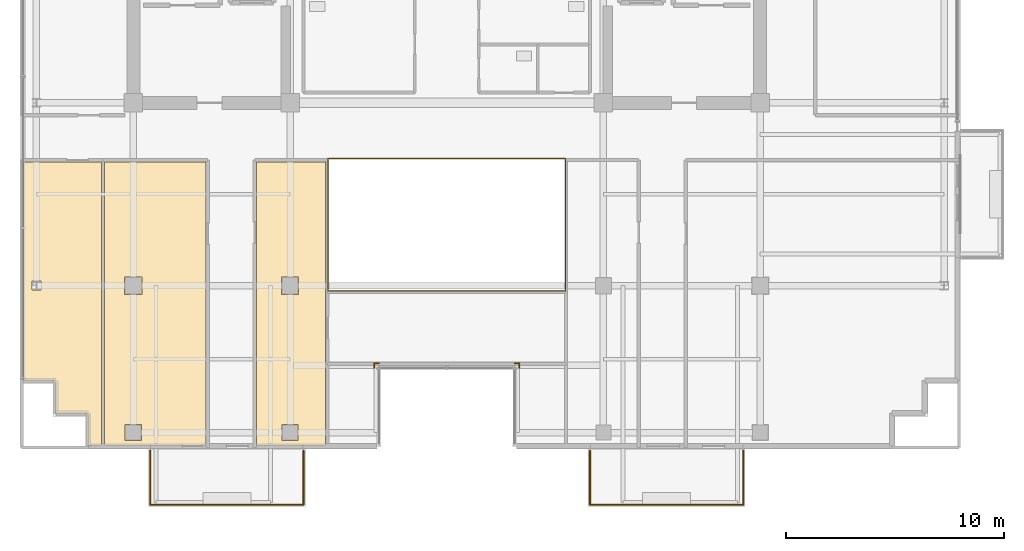
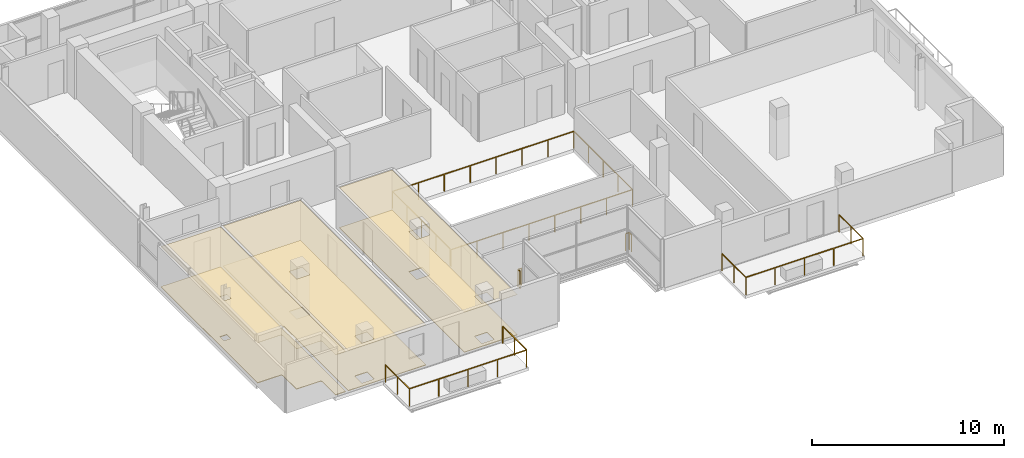
# One storey, part 19 of 22: 7 railings, 6 coverings.
"""IFC4 building model written with IfcOpenShell, lengths in metres."""

from ifc_helpers import new_model, si_unit, direction, frame, origin, origin_2d, place, context, subcontext, project, spatial, polyline, rectangle, outline, extrude, material, layer, layer_set, type_object, element, save


model = new_model("IFC4")

# Units and contexts
model_context = context("Model", 3, precision=1e-05, world=origin(), true_north=direction((0.0, 1.0)))
body_context = subcontext(model_context, "Body", "Model", "MODEL_VIEW")
ifc_project = project(units=[si_unit("LENGTHUNIT", "METRE"), si_unit("AREAUNIT", "SQUARE_METRE"), si_unit("VOLUMEUNIT", "CUBIC_METRE"), si_unit("PLANEANGLEUNIT", "RADIAN"), si_unit("MASSUNIT", "GRAM", prefix="KILO")], contexts=[model_context])

# Site, building, storey
site_placement = place(None, origin())
site = spatial("IfcSite", under=ifc_project, at=site_placement, CompositionType="ELEMENT")
building_placement = place(site_placement, origin())
building = spatial("IfcBuilding", under=site, at=building_placement, Name="Zarnakvel Exchange Tower", CompositionType="ELEMENT")
storey_placement = place(building_placement, frame((0.0, 0.0, 238.60009765625)))
storey = spatial("IfcBuildingStorey", under=building, at=storey_placement, Name="L67", CompositionType="ELEMENT", Elevation=238.60009765625)

# Coverings
ifc_material_1 = material(Name="Perforated Bronze Acoustic Metal Ceiling", Category="aluminium")
ifc_layer_1 = layer(ifc_material_1, 0.02001953125)
ifc_layer_set_1 = layer_set([ifc_layer_1], Name="Perforated Bronze Acoustic Metal Ceiling")
covering_type_1 = type_object("IfcCoveringType", Name="CLG-01", PredefinedType="CEILING", material=ifc_layer_set_1)
covering_1_placement = place(storey_placement, frame((0.0, 0.0, 2.554931640625)))
element("IfcCovering", 1, at=covering_1_placement, inside=storey, type_object=covering_type_1, Name="L67 Suspended Acoustic Ceiling (Commodities Dealing Room)", PredefinedType="CEILING", context=body_context, shape_type="SweptSolid", body=[
    extrude(outline(polyline([(-15.87158203125, -3.909912109375), (-15.87158203125, -16.949951171875), (-16.47998046875, -16.949951171875), (-16.47998046875, -15.60009765625), (-16.48046875, -15.588134765625), (-16.482421875, -15.57666015625), (-16.485107421875, -15.565185546875), (-16.489013671875, -15.55419921875), (-16.494140625, -15.54345703125), (-16.500244140625, -15.533447265625), (-16.50732421875, -15.52392578125), (-16.51513671875, -15.51513671875), (-16.52392578125, -15.50732421875), (-16.533447265625, -15.500244140625), (-16.54345703125, -15.494140625), (-16.55419921875, -15.489013671875), (-16.565185546875, -15.485107421875), (-16.57666015625, -15.482421875), (-16.588134765625, -15.48046875), (-16.60009765625, -15.47998046875), (-17.97998046875, -15.47998046875), (-17.97998046875, -14.10009765625), (-17.98046875, -14.088134765625), (-17.982421875, -14.07666015625), (-17.985107421875, -14.065185546875), (-17.989013671875, -14.05419921875), (-17.994140625, -14.04345703125), (-18.000244140625, -14.033447265625), (-18.00732421875, -14.02392578125), (-18.01513671875, -14.01513671875), (-18.02392578125, -14.00732421875), (-18.033447265625, -14.000244140625), (-18.04345703125, -13.994140625), (-18.05419921875, -13.989013671875), (-18.065185546875, -13.985107421875), (-18.07666015625, -13.982421875), (-18.088134765625, -13.98046875), (-18.10009765625, -13.97998046875), (-19.449951171875, -13.97998046875), (-19.449951171875, -3.909912109375), (-15.87158203125, -3.909912109375)]), holes=[polyline([(-18.642578125, -9.807373046875), (-18.642578125, -9.392578125), (-19.057373046875, -9.392578125), (-19.057373046875, -9.807373046875), (-18.642578125, -9.807373046875)])]), origin(), (0.0, 0.0, 1.0), 0.02001953125),
])
covering_2_placement = place(storey_placement, frame((0.0, 0.0, 2.554931640625)))
element("IfcCovering", 2, at=covering_2_placement, inside=storey, type_object=covering_type_1, Name="L67 Suspended Acoustic Ceiling (Brokerage Office)", PredefinedType="CEILING", context=body_context, shape_type="SweptSolid", body=[
    extrude(outline(polyline([(-15.711669921875, -3.909912109375), (-11.06005859375, -3.909912109375), (-11.06005859375, -16.949951171875), (-15.711669921875, -16.949951171875), (-15.711669921875, -3.909912109375)]), holes=[polyline([(-14.0048828125, -9.9951171875), (-14.0048828125, -9.205078125), (-14.794921875, -9.205078125), (-14.794921875, -9.9951171875), (-14.0048828125, -9.9951171875)]), polyline([(-14.030029296875, -15.97998046875), (-14.77001953125, -15.97998046875), (-14.77001953125, -16.719970703125), (-14.030029296875, -16.719970703125), (-14.030029296875, -15.97998046875)])]), origin(), (0.0, 0.0, 1.0), 0.02001953125),
])
covering_3_placement = place(storey_placement, frame((0.0, 0.0, 2.554931640625)))
element("IfcCovering", 3, at=covering_3_placement, inside=storey, type_object=covering_type_1, Name="L67 Suspended Acoustic Ceiling (Tea Pantry)", PredefinedType="CEILING", context=body_context, shape_type="SweptSolid", body=[
    extrude(outline(polyline([(-8.739990234375, -3.909912109375), (-5.56005859375, -3.909912109375), (-5.56005859375, -16.949951171875), (-8.739990234375, -16.949951171875), (-8.739990234375, -3.909912109375)]), holes=[polyline([(-6.804931640625, -9.9951171875), (-6.804931640625, -9.205078125), (-7.594970703125, -9.205078125), (-7.594970703125, -9.9951171875), (-6.804931640625, -9.9951171875)]), polyline([(-6.830078125, -16.719970703125), (-6.830078125, -15.97998046875), (-7.570068359375, -15.97998046875), (-7.570068359375, -16.719970703125), (-6.830078125, -16.719970703125)])]), origin(), (0.0, 0.0, 1.0), 0.02001953125),
])
ifc_material_2 = material(Name="Heavy-Duty Raised Access Floor Panel", Category="steel")
ifc_layer_2 = layer(ifc_material_2, 0.034912109375)
ifc_layer_set_2 = layer_set([ifc_layer_2], Name="Heavy-Duty Raised Access Floor Panel")
covering_type_2 = type_object("IfcCoveringType", Name="FLR-02", PredefinedType="FLOORING", material=ifc_layer_set_2)
covering_4_placement = place(storey_placement, origin())
element("IfcCovering", 4, at=covering_4_placement, inside=storey, type_object=covering_type_2, Name="L67 Floor Finish (Commodities Dealing Room)", PredefinedType="FLOORING", context=body_context, shape_type="SweptSolid", body=[
    extrude(outline(polyline([(-15.87158203125, -3.909912109375), (-15.87158203125, -16.949951171875), (-16.47998046875, -16.949951171875), (-16.47998046875, -15.60009765625), (-16.48046875, -15.588134765625), (-16.482421875, -15.57666015625), (-16.485107421875, -15.565185546875), (-16.489013671875, -15.55419921875), (-16.494140625, -15.54345703125), (-16.500244140625, -15.533447265625), (-16.50732421875, -15.52392578125), (-16.51513671875, -15.51513671875), (-16.52392578125, -15.50732421875), (-16.533447265625, -15.500244140625), (-16.54345703125, -15.494140625), (-16.55419921875, -15.489013671875), (-16.565185546875, -15.485107421875), (-16.57666015625, -15.482421875), (-16.588134765625, -15.48046875), (-16.60009765625, -15.47998046875), (-17.97998046875, -15.47998046875), (-17.97998046875, -14.10009765625), (-17.98046875, -14.088134765625), (-17.982421875, -14.07666015625), (-17.985107421875, -14.065185546875), (-17.989013671875, -14.05419921875), (-17.994140625, -14.04345703125), (-18.000244140625, -14.033447265625), (-18.00732421875, -14.02392578125), (-18.01513671875, -14.01513671875), (-18.02392578125, -14.00732421875), (-18.033447265625, -14.000244140625), (-18.04345703125, -13.994140625), (-18.05419921875, -13.989013671875), (-18.065185546875, -13.985107421875), (-18.07666015625, -13.982421875), (-18.088134765625, -13.98046875), (-18.10009765625, -13.97998046875), (-19.449951171875, -13.97998046875), (-19.449951171875, -3.909912109375), (-15.87158203125, -3.909912109375)]), holes=[polyline([(-18.642578125, -9.807373046875), (-18.642578125, -9.392578125), (-19.057373046875, -9.392578125), (-19.057373046875, -9.807373046875), (-18.642578125, -9.807373046875)])]), origin(), (0.0, 0.0, 1.0), 0.034912109375),
])
covering_5_placement = place(storey_placement, origin())
element("IfcCovering", 5, at=covering_5_placement, inside=storey, type_object=covering_type_2, Name="L67 Floor Finish (Brokerage Office)", PredefinedType="FLOORING", context=body_context, shape_type="SweptSolid", body=[
    extrude(outline(polyline([(-15.711669921875, -3.909912109375), (-11.06005859375, -3.909912109375), (-11.06005859375, -16.949951171875), (-15.711669921875, -16.949951171875), (-15.711669921875, -3.909912109375)]), holes=[polyline([(-14.0048828125, -9.9951171875), (-14.0048828125, -9.205078125), (-14.794921875, -9.205078125), (-14.794921875, -9.9951171875), (-14.0048828125, -9.9951171875)]), polyline([(-14.030029296875, -15.97998046875), (-14.77001953125, -15.97998046875), (-14.77001953125, -16.719970703125), (-14.030029296875, -16.719970703125), (-14.030029296875, -15.97998046875)])]), origin(), (0.0, 0.0, 1.0), 0.034912109375),
])
covering_6_placement = place(storey_placement, origin())
element("IfcCovering", 6, at=covering_6_placement, inside=storey, type_object=covering_type_2, Name="L67 Floor Finish (Tea Pantry)", PredefinedType="FLOORING", context=body_context, shape_type="SweptSolid", body=[
    extrude(outline(polyline([(-8.739990234375, -3.909912109375), (-5.56005859375, -3.909912109375), (-5.56005859375, -16.949951171875), (-8.739990234375, -16.949951171875), (-8.739990234375, -3.909912109375)]), holes=[polyline([(-6.804931640625, -9.9951171875), (-6.804931640625, -9.205078125), (-7.594970703125, -9.205078125), (-7.594970703125, -9.9951171875), (-6.804931640625, -9.9951171875)]), polyline([(-6.830078125, -16.719970703125), (-6.830078125, -15.97998046875), (-7.570068359375, -15.97998046875), (-7.570068359375, -16.719970703125), (-6.830078125, -16.719970703125)])]), origin(), (0.0, 0.0, 1.0), 0.034912109375),
])

# Railings
ifc_material_3 = material(Name="Architectural Bronze Anodised Aluminium", Category="aluminium")
railing_type_1 = type_object("IfcRailingType", Name="GR-02", PredefinedType="GUARDRAIL", material=ifc_material_3)
railing_1_placement = place(storey_placement, frame((-13.6201171875, -17.179931640625, -0.03515625)))
element("IfcRailing", 7, at=railing_1_placement, inside=storey, type_object=railing_type_1, Name="L67 Balcony Guardrail BAL-L67-SW", PredefinedType="GUARDRAIL", context=body_context, shape_type="SweptSolid", body=[
    extrude(rectangle(XDim=0.048095703125, YDim=0.048095703125, at=origin_2d()), frame((0.0, 0.0, 1.09619140625), z_axis=(0.0, -1.0, 0.0), x_axis=(1.0, 0.0, 0.0)), (0.0, 0.0, 1.0), 2.489990234375),
    extrude(rectangle(XDim=0.048095703125, YDim=0.048095703125, at=origin_2d()), frame((0.0, -2.489990234375, 1.09619140625), z_axis=(1.0, 0.0, 0.0), x_axis=(0.0, 1.0, 0.0)), (0.0, 0.0, 1.0), 7.0400390625),
    extrude(rectangle(XDim=0.048095703125, YDim=0.048095703125, at=origin_2d()), frame((7.0400390625, -2.489990234375, 1.09619140625), z_axis=(0.0, 1.0, 0.0), x_axis=(-1.0, 0.0, 0.0)), (0.0, 0.0, 1.0), 2.489990234375),
    extrude(rectangle(XDim=0.0419921875, YDim=0.0419921875, at=origin_2d()), origin(), (0.0, 0.0, 1.0), 1.072021484375),
    extrude(rectangle(XDim=0.0419921875, YDim=0.0419921875, at=origin_2d()), frame((0.0, -1.2451171875, 0.0)), (0.0, 0.0, 1.0), 1.072021484375),
    extrude(rectangle(XDim=0.0419921875, YDim=0.0419921875, at=origin_2d()), frame((0.0, -2.489990234375, 0.0)), (0.0, 0.0, 1.0), 1.072021484375),
    extrude(rectangle(XDim=0.0419921875, YDim=0.0419921875, at=origin_2d()), frame((1.760009765625, -2.489990234375, 0.0)), (0.0, 0.0, 1.0), 1.072021484375),
    extrude(rectangle(XDim=0.0419921875, YDim=0.0419921875, at=origin_2d()), frame((3.52001953125, -2.489990234375, 0.0)), (0.0, 0.0, 1.0), 1.072021484375),
    extrude(rectangle(XDim=0.0419921875, YDim=0.0419921875, at=origin_2d()), frame((5.280029296875, -2.489990234375, 0.0)), (0.0, 0.0, 1.0), 1.072021484375),
    extrude(rectangle(XDim=0.0419921875, YDim=0.0419921875, at=origin_2d()), frame((7.0400390625, -2.489990234375, 0.0)), (0.0, 0.0, 1.0), 1.072021484375),
    extrude(rectangle(XDim=0.0419921875, YDim=0.0419921875, at=origin_2d()), frame((7.0400390625, -1.2451171875, 0.0)), (0.0, 0.0, 1.0), 1.072021484375),
    extrude(rectangle(XDim=0.0419921875, YDim=0.0419921875, at=origin_2d()), frame((7.0400390625, 0.0, 0.0)), (0.0, 0.0, 1.0), 1.072021484375),
])
railing_2_placement = place(storey_placement, frame((6.580078125, -17.179931640625, -0.03515625)))
element("IfcRailing", 8, at=railing_2_placement, inside=storey, type_object=railing_type_1, Name="L67 Balcony Guardrail BAL-L67-SE", PredefinedType="GUARDRAIL", context=body_context, shape_type="SweptSolid", body=[
    extrude(rectangle(XDim=0.048095703125, YDim=0.048095703125, at=origin_2d()), frame((0.0, 0.0, 1.09619140625), z_axis=(0.0, -1.0, 0.0), x_axis=(1.0, 0.0, 0.0)), (0.0, 0.0, 1.0), 2.489990234375),
    extrude(rectangle(XDim=0.048095703125, YDim=0.048095703125, at=origin_2d()), frame((0.0, -2.489990234375, 1.09619140625), z_axis=(1.0, 0.0, 0.0), x_axis=(0.0, 1.0, 0.0)), (0.0, 0.0, 1.0), 7.0400390625),
    extrude(rectangle(XDim=0.048095703125, YDim=0.048095703125, at=origin_2d()), frame((7.0400390625, -2.489990234375, 1.09619140625), z_axis=(0.0, 1.0, 0.0), x_axis=(-1.0, 0.0, 0.0)), (0.0, 0.0, 1.0), 2.489990234375),
    extrude(rectangle(XDim=0.0419921875, YDim=0.0419921875, at=origin_2d()), origin(), (0.0, 0.0, 1.0), 1.072021484375),
    extrude(rectangle(XDim=0.0419921875, YDim=0.0419921875, at=origin_2d()), frame((0.0, -1.2451171875, 0.0)), (0.0, 0.0, 1.0), 1.072021484375),
    extrude(rectangle(XDim=0.0419921875, YDim=0.0419921875, at=origin_2d()), frame((0.0, -2.489990234375, 0.0)), (0.0, 0.0, 1.0), 1.072021484375),
    extrude(rectangle(XDim=0.0419921875, YDim=0.0419921875, at=origin_2d()), frame((1.760009765625, -2.489990234375, 0.0)), (0.0, 0.0, 1.0), 1.072021484375),
    extrude(rectangle(XDim=0.0419921875, YDim=0.0419921875, at=origin_2d()), frame((3.52001953125, -2.489990234375, 0.0)), (0.0, 0.0, 1.0), 1.072021484375),
    extrude(rectangle(XDim=0.0419921875, YDim=0.0419921875, at=origin_2d()), frame((5.280029296875, -2.489990234375, 0.0)), (0.0, 0.0, 1.0), 1.072021484375),
    extrude(rectangle(XDim=0.0419921875, YDim=0.0419921875, at=origin_2d()), frame((7.0400390625, -2.489990234375, 0.0)), (0.0, 0.0, 1.0), 1.072021484375),
    extrude(rectangle(XDim=0.0419921875, YDim=0.0419921875, at=origin_2d()), frame((7.0400390625, -1.2451171875, 0.0)), (0.0, 0.0, 1.0), 1.072021484375),
    extrude(rectangle(XDim=0.0419921875, YDim=0.0419921875, at=origin_2d()), frame((7.0400390625, 0.0, 0.0)), (0.0, 0.0, 1.0), 1.072021484375),
])
railing_3_placement = place(storey_placement, frame((3.340087890625, -13.3798828125, 0.0)))
element("IfcRailing", 9, at=railing_3_placement, inside=storey, type_object=railing_type_1, Name="L67 Corner Spandrel Balustrade #17", PredefinedType="GUARDRAIL", context=body_context, shape_type="SweptSolid", body=[
    extrude(rectangle(XDim=0.048095703125, YDim=0.048095703125, at=origin_2d()), frame((0.0, 0.0, 1.09619140625), z_axis=(0.0, 1.0, 0.0), x_axis=(-1.0, 0.0, 0.0)), (0.0, 0.0, 1.0), 0.219970703125),
    extrude(rectangle(XDim=0.0419921875, YDim=0.0419921875, at=origin_2d()), origin(), (0.0, 0.0, 1.0), 1.072021484375),
    extrude(rectangle(XDim=0.0419921875, YDim=0.0419921875, at=origin_2d()), frame((0.0, 0.219970703125, 0.0)), (0.0, 0.0, 1.0), 1.072021484375),
])
for number, where, name in (
    (10, (3.340087890625, -13.159912109375, 0.0), "L67 Corner Spandrel Balustrade #18"),
    (11, (-3.1201171875, -13.159912109375, 0.0), "L67 Corner Spandrel Balustrade #19"),
):
    element("IfcRailing", number, at=place(storey_placement, frame(where)), inside=storey, type_object=railing_type_1, Name=name, PredefinedType="GUARDRAIL", context=body_context, shape_type="SweptSolid", body=[
        extrude(rectangle(XDim=0.048095703125, YDim=0.048095703125, at=origin_2d()), frame((0.0, 0.0, 1.09619140625), z_axis=(-1.0, 0.0, 0.0), x_axis=(0.0, -1.0, 0.0)), (0.0, 0.0, 1.0), 0.219970703125),
        extrude(rectangle(XDim=0.0419921875, YDim=0.0419921875, at=origin_2d()), origin(), (0.0, 0.0, 1.0), 1.072021484375),
        extrude(rectangle(XDim=0.0419921875, YDim=0.0419921875, at=origin_2d()), frame((-0.219970703125, 0.0, 0.0)), (0.0, 0.0, 1.0), 1.072021484375),
    ])
railing_4_placement = place(storey_placement, frame((-3.340087890625, -13.159912109375, 0.0)))
element("IfcRailing", 12, at=railing_4_placement, inside=storey, type_object=railing_type_1, Name="L67 Corner Spandrel Balustrade #20", PredefinedType="GUARDRAIL", context=body_context, shape_type="SweptSolid", body=[
    extrude(rectangle(XDim=0.048095703125, YDim=0.048095703125, at=origin_2d()), frame((0.0, 0.0, 1.09619140625), z_axis=(0.0, -1.0, 0.0), x_axis=(1.0, 0.0, 0.0)), (0.0, 0.0, 1.0), 0.219970703125),
    extrude(rectangle(XDim=0.0419921875, YDim=0.0419921875, at=origin_2d()), origin(), (0.0, 0.0, 1.0), 1.072021484375),
    extrude(rectangle(XDim=0.0419921875, YDim=0.0419921875, at=origin_2d()), frame((0.0, -0.219970703125, 0.0)), (0.0, 0.0, 1.0), 1.072021484375),
])
railing_type_2 = type_object("IfcRailingType", Name="GR-03", PredefinedType="GUARDRAIL", material=ifc_material_3)
railing_5_placement = place(storey_placement, frame((-5.449951171875, -9.85009765625, 0.0)))
element("IfcRailing", 13, at=railing_5_placement, inside=storey, type_object=railing_type_2, Name="L67 Atrium Void Perimeter Balustrade", PredefinedType="GUARDRAIL", context=body_context, shape_type="SweptSolid", body=[
    extrude(rectangle(XDim=0.048095703125, YDim=0.048095703125, at=origin_2d()), frame((0.0, 0.0, 1.076171875), z_axis=(1.0, 0.0, 0.0), x_axis=(0.0, 1.0, 0.0)), (0.0, 0.0, 1.0), 10.89990234375),
    extrude(rectangle(XDim=0.048095703125, YDim=0.048095703125, at=origin_2d()), frame((10.89990234375, 0.0, 1.076171875), z_axis=(0.0, 1.0, 0.0), x_axis=(-1.0, 0.0, 0.0)), (0.0, 0.0, 1.0), 6.10009765625),
    extrude(rectangle(XDim=0.048095703125, YDim=0.048095703125, at=origin_2d()), frame((10.89990234375, 6.10009765625, 1.076171875), z_axis=(-1.0, 0.0, 0.0), x_axis=(0.0, -1.0, 0.0)), (0.0, 0.0, 1.0), 10.89990234375),
    extrude(rectangle(XDim=0.048095703125, YDim=0.048095703125, at=origin_2d()), frame((0.0, 6.10009765625, 1.076171875), z_axis=(0.0, -1.0, 0.0), x_axis=(1.0, 0.0, 0.0)), (0.0, 0.0, 1.0), 6.02001953125),
    extrude(rectangle(XDim=0.0419921875, YDim=0.0419921875, at=origin_2d()), origin(), (0.0, 0.0, 1.0), 1.052001953125),
    extrude(rectangle(XDim=0.0419921875, YDim=0.0419921875, at=origin_2d()), frame((1.55712890625, 0.0, 0.0)), (0.0, 0.0, 1.0), 1.052001953125),
    extrude(rectangle(XDim=0.0419921875, YDim=0.0419921875, at=origin_2d()), frame((3.1142578125, 0.0, 0.0)), (0.0, 0.0, 1.0), 1.052001953125),
    extrude(rectangle(XDim=0.0419921875, YDim=0.0419921875, at=origin_2d()), frame((4.67138671875, 0.0, 0.0)), (0.0, 0.0, 1.0), 1.052001953125),
    extrude(rectangle(XDim=0.0419921875, YDim=0.0419921875, at=origin_2d()), frame((6.228515625, 0.0, 0.0)), (0.0, 0.0, 1.0), 1.052001953125),
    extrude(rectangle(XDim=0.0419921875, YDim=0.0419921875, at=origin_2d()), frame((7.78564453125, 0.0, 0.0)), (0.0, 0.0, 1.0), 1.052001953125),
    extrude(rectangle(XDim=0.0419921875, YDim=0.0419921875, at=origin_2d()), frame((9.3427734375, 0.0, 0.0)), (0.0, 0.0, 1.0), 1.052001953125),
    extrude(rectangle(XDim=0.0419921875, YDim=0.0419921875, at=origin_2d()), frame((10.89990234375, 0.0, 0.0)), (0.0, 0.0, 1.0), 1.052001953125),
    extrude(rectangle(XDim=0.0419921875, YDim=0.0419921875, at=origin_2d()), frame((10.89990234375, 1.52490234375, 0.0)), (0.0, 0.0, 1.0), 1.052001953125),
    extrude(rectangle(XDim=0.0419921875, YDim=0.0419921875, at=origin_2d()), frame((10.89990234375, 3.050048828125, 0.0)), (0.0, 0.0, 1.0), 1.052001953125),
    extrude(rectangle(XDim=0.0419921875, YDim=0.0419921875, at=origin_2d()), frame((10.89990234375, 4.5751953125, 0.0)), (0.0, 0.0, 1.0), 1.052001953125),
    extrude(rectangle(XDim=0.0419921875, YDim=0.0419921875, at=origin_2d()), frame((10.89990234375, 6.10009765625, 0.0)), (0.0, 0.0, 1.0), 1.052001953125),
    extrude(rectangle(XDim=0.0419921875, YDim=0.0419921875, at=origin_2d()), frame((9.3427734375, 6.10009765625, 0.0)), (0.0, 0.0, 1.0), 1.052001953125),
    extrude(rectangle(XDim=0.0419921875, YDim=0.0419921875, at=origin_2d()), frame((7.78564453125, 6.10009765625, 0.0)), (0.0, 0.0, 1.0), 1.052001953125),
    extrude(rectangle(XDim=0.0419921875, YDim=0.0419921875, at=origin_2d()), frame((6.228515625, 6.10009765625, 0.0)), (0.0, 0.0, 1.0), 1.052001953125),
    extrude(rectangle(XDim=0.0419921875, YDim=0.0419921875, at=origin_2d()), frame((4.67138671875, 6.10009765625, 0.0)), (0.0, 0.0, 1.0), 1.052001953125),
    extrude(rectangle(XDim=0.0419921875, YDim=0.0419921875, at=origin_2d()), frame((3.1142578125, 6.10009765625, 0.0)), (0.0, 0.0, 1.0), 1.052001953125),
    extrude(rectangle(XDim=0.0419921875, YDim=0.0419921875, at=origin_2d()), frame((1.55712890625, 6.10009765625, 0.0)), (0.0, 0.0, 1.0), 1.052001953125),
    extrude(rectangle(XDim=0.0419921875, YDim=0.0419921875, at=origin_2d()), frame((0.0, 6.10009765625, 0.0)), (0.0, 0.0, 1.0), 1.052001953125),
    extrude(rectangle(XDim=0.0419921875, YDim=0.0419921875, at=origin_2d()), frame((0.0, 4.59521484375, 0.0)), (0.0, 0.0, 1.0), 1.052001953125),
    extrude(rectangle(XDim=0.0419921875, YDim=0.0419921875, at=origin_2d()), frame((0.0, 3.090087890625, 0.0)), (0.0, 0.0, 1.0), 1.052001953125),
    extrude(rectangle(XDim=0.0419921875, YDim=0.0419921875, at=origin_2d()), frame((0.0, 1.5849609375, 0.0)), (0.0, 0.0, 1.0), 1.052001953125),
    extrude(rectangle(XDim=0.0419921875, YDim=0.0419921875, at=origin_2d()), frame((0.0, 0.080078125, 0.0)), (0.0, 0.0, 1.0), 1.052001953125),
])

save(model, "model.ifc")
